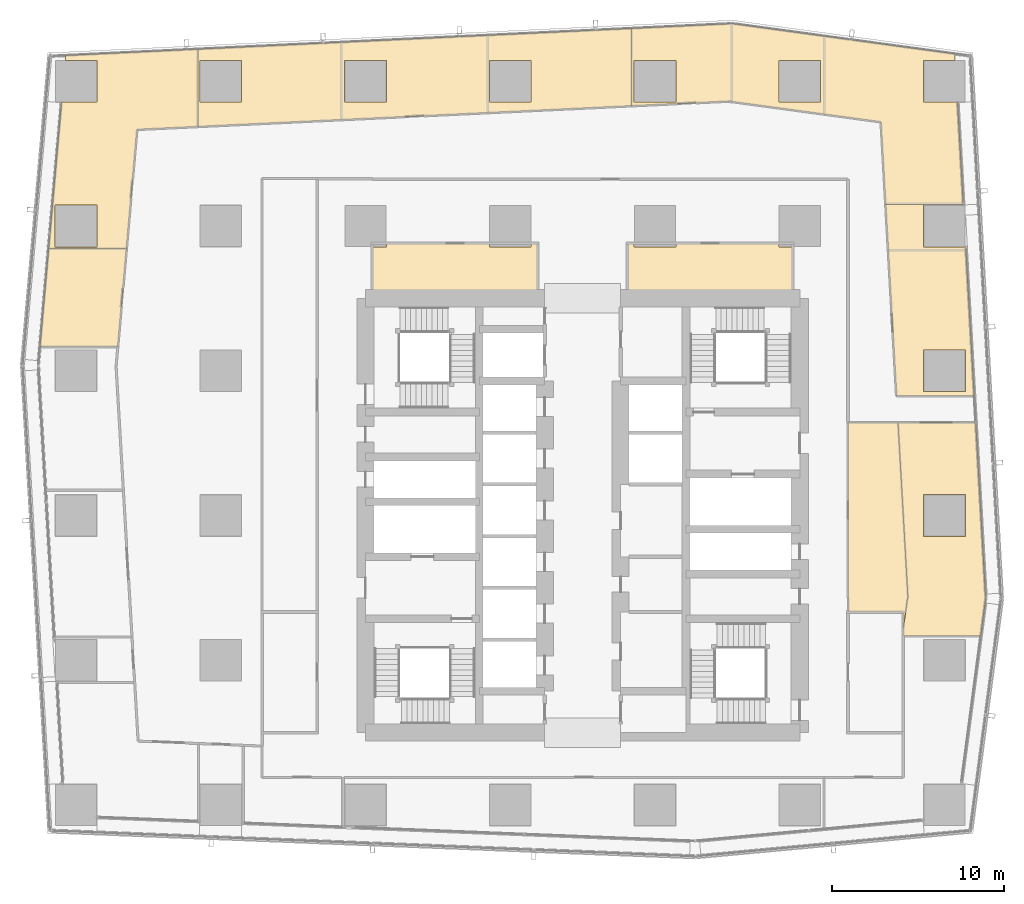
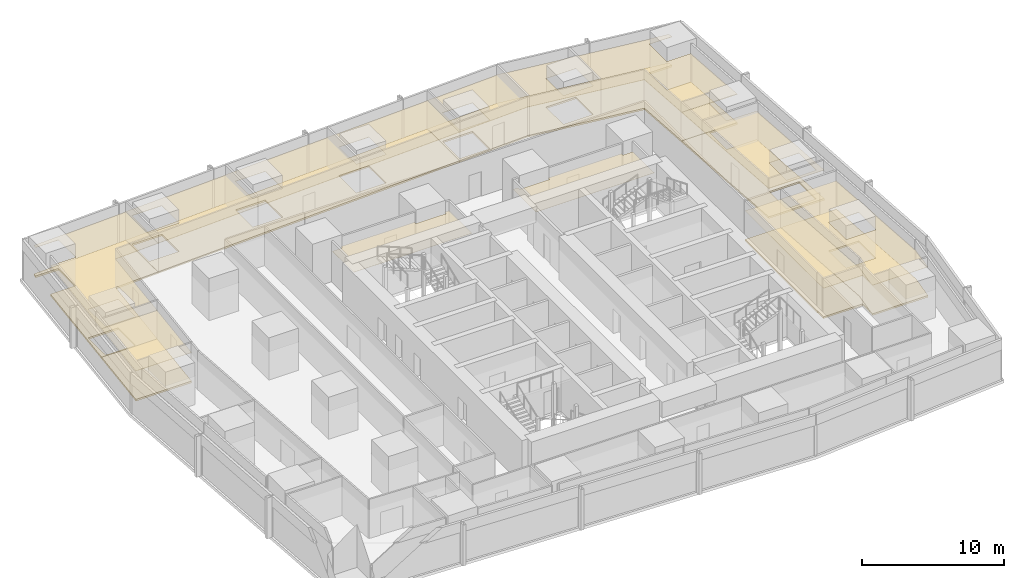
# One storey, part 37 of 37: 16 coverings.
"""IFC4 building model written with IfcOpenShell, lengths in metres."""

from ifc_helpers import new_model, si_unit, direction, frame, origin, place, context, subcontext, project, spatial, polyline, outline, extrude, material, layer, layer_set, type_object, element, save


model = new_model("IFC4")

# Units and contexts
model_context = context("Model", 3, precision=1e-05, world=origin(), true_north=direction((0.0, 1.0)))
body_context = subcontext(model_context, "Body", "Model", "MODEL_VIEW")
ifc_project = project(units=[si_unit("LENGTHUNIT", "METRE"), si_unit("AREAUNIT", "SQUARE_METRE"), si_unit("VOLUMEUNIT", "CUBIC_METRE"), si_unit("PLANEANGLEUNIT", "RADIAN"), si_unit("MASSUNIT", "GRAM", prefix="KILO")], contexts=[model_context])

# Site, building, storey
site_placement = place(None, origin())
site = spatial("IfcSite", under=ifc_project, at=site_placement, CompositionType="ELEMENT")
building_placement = place(site_placement, origin())
building = spatial("IfcBuilding", under=site, at=building_placement, Name="Rekha Terrace Tower", CompositionType="ELEMENT")
storey_placement = place(building_placement, frame((0.0, 0.0, 228.949951171875)))
storey = spatial("IfcBuildingStorey", under=building, at=storey_placement, Name="L58", CompositionType="ELEMENT", Elevation=228.949951171875)

# Coverings
ifc_material_1 = material(Name="Mineral fibre tile in exposed grid", Category="finish")
ifc_layer_1 = layer(ifc_material_1, 0.02001953125)
ifc_layer_set_1 = layer_set([ifc_layer_1], Name="Mineral fibre tile in exposed grid")
covering_type_1 = type_object("IfcCoveringType", Name="CL1 600x1200 office grid ceiling", PredefinedType="CEILING", material=ifc_layer_set_1)
covering_1_placement = place(storey_placement, frame((0.0, 0.0, 2.580078125)))
element("IfcCovering", 1, at=covering_1_placement, inside=storey, type_object=covering_type_1, Name="Ceiling L58-05", PredefinedType="CEILING", context=body_context, shape_type="SweptSolid", body=[
    extrude(outline(polyline([(59.889892578125, 51.614990234375), (59.887939453125, 51.656982421875), (55.3798828125, 51.656982421875), (55.531005859375, 48.99609375), (56.011962890625, 40.531005859375), (60.51904296875, 40.531005859375), (60.0390625, 48.9990234375), (60.028076171875, 49.18505859375), (57.5849609375, 49.18505859375), (57.5849609375, 51.614990234375), (59.889892578125, 51.614990234375)]), holes=[polyline([(60.014892578125, 40.784912109375), (57.5849609375, 40.784912109375), (57.5849609375, 43.215087890625), (60.014892578125, 43.215087890625), (60.014892578125, 40.784912109375)])]), origin(), (0.0, 0.0, 1.0), 0.02001953125),
])
covering_2_placement = place(storey_placement, frame((0.0, 0.0, 2.580078125)))
element("IfcCovering", 2, at=covering_2_placement, inside=storey, type_object=covering_type_1, Name="Ceiling L58-06", PredefinedType="CEILING", context=body_context, shape_type="SweptSolid", body=[
    extrude(outline(polyline([(40.6279296875, 61.868896484375), (40.6279296875, 57.364013671875), (46.445068359375, 57.64208984375), (46.445068359375, 57.612060546875), (51.830078125, 56.87890625), (55.10888671875, 56.43310546875), (55.3798828125, 51.657958984375), (59.887939453125, 51.657958984375), (59.551025390625, 57.5849609375), (57.5849609375, 57.5849609375), (57.5849609375, 60.014892578125), (59.4130859375, 60.014892578125), (59.39208984375, 60.39208984375), (51.825927734375, 61.4208984375), (46.445068359375, 62.154052734375), (46.445068359375, 62.14697265625), (40.6279296875, 61.868896484375)]), holes=[polyline([(51.614990234375, 57.5849609375), (49.18505859375, 57.5849609375), (49.18505859375, 60.014892578125), (51.614990234375, 60.014892578125), (51.614990234375, 57.5849609375)]), polyline([(43.215087890625, 60.014892578125), (43.215087890625, 57.5849609375), (40.784912109375, 57.5849609375), (40.784912109375, 60.014892578125), (43.215087890625, 60.014892578125)])]), origin(), (0.0, 0.0, 1.0), 0.02001953125),
])
covering_3_placement = place(storey_placement, frame((0.0, 0.0, 2.580078125)))
element("IfcCovering", 3, at=covering_3_placement, inside=storey, type_object=covering_type_1, Name="Ceiling L58-07", PredefinedType="CEILING", context=body_context, shape_type="SweptSolid", body=[
    extrude(outline(polyline([(32.299072265625, 61.470947265625), (23.794921875, 61.06494140625), (15.467041015625, 60.666015625), (15.467041015625, 56.160888671875), (23.7919921875, 56.55908203125), (32.302001953125, 56.966064453125), (40.626953125, 57.364013671875), (40.626953125, 61.868896484375), (32.299072265625, 61.470947265625)]), holes=[polyline([(34.81494140625, 57.5849609375), (32.385009765625, 57.5849609375), (32.385009765625, 60.014892578125), (34.81494140625, 60.014892578125), (34.81494140625, 57.5849609375)]), polyline([(26.4150390625, 57.5849609375), (23.985107421875, 57.5849609375), (23.985107421875, 60.014892578125), (26.4150390625, 60.014892578125), (26.4150390625, 57.5849609375)]), polyline([(18.014892578125, 60.014892578125), (18.014892578125, 57.5849609375), (15.5849609375, 57.5849609375), (15.5849609375, 60.014892578125), (18.014892578125, 60.014892578125)])]), origin(), (0.0, 0.0, 1.0), 0.02001953125),
])
covering_4_placement = place(storey_placement, frame((0.0, 0.0, 2.580078125)))
element("IfcCovering", 4, at=covering_4_placement, inside=storey, type_object=covering_type_1, Name="Ceiling L58-08", PredefinedType="CEILING", context=body_context, shape_type="SweptSolid", body=[
    extrude(outline(polyline([(7.56103515625, 57.5849609375), (6.81005859375, 49.0810546875), (11.327880859375, 49.0810546875), (11.93798828125, 55.992919921875), (15.466064453125, 56.160888671875), (15.466064453125, 60.666015625), (7.801025390625, 60.300048828125), (7.77587890625, 60.014892578125), (9.614990234375, 60.014892578125), (9.614990234375, 57.5849609375), (7.56103515625, 57.5849609375)]), holes=[polyline([(9.614990234375, 49.18505859375), (7.18505859375, 49.18505859375), (7.18505859375, 51.614990234375), (9.614990234375, 51.614990234375), (9.614990234375, 49.18505859375)])]), origin(), (0.0, 0.0, 1.0), 0.02001953125),
])
covering_5_placement = place(storey_placement, frame((0.0, 0.0, 2.580078125)))
element("IfcCovering", 5, at=covering_5_placement, inside=storey, type_object=covering_type_1, Name="Ceiling L58-09", PredefinedType="CEILING", context=body_context, shape_type="SweptSolid", body=[
    extrude(outline(polyline([(11.327880859375, 49.080078125), (6.81005859375, 49.080078125), (6.30810546875, 43.39208984375), (10.825927734375, 43.39208984375), (11.327880859375, 49.080078125)])), origin(), (0.0, 0.0, 1.0), 0.02001953125),
])
covering_6_placement = place(storey_placement, frame((0.0, 0.0, 2.580078125)))
element("IfcCovering", 6, at=covering_6_placement, inside=storey, type_object=covering_type_1, Name="Ceiling L58-16", PredefinedType="CEILING", context=body_context, shape_type="SweptSolid", body=[
    extrude(outline(polyline([(56.10009765625, 38.98095703125), (56.677001953125, 28.81201171875), (56.65087890625, 28.81201171875), (56.39990234375, 26.91796875), (56.39990234375, 26.60009765625), (60.89697265625, 26.60009765625), (61.18994140625, 28.81201171875), (61.18408203125, 28.81201171875), (60.60693359375, 38.98095703125), (56.10009765625, 38.98095703125)]), holes=[polyline([(60.014892578125, 34.81494140625), (60.014892578125, 32.385009765625), (57.5849609375, 32.385009765625), (57.5849609375, 34.81494140625), (60.014892578125, 34.81494140625)])]), origin(), (0.0, 0.0, 1.0), 0.02001953125),
])
covering_7_placement = place(storey_placement, frame((0.0, 0.0, 2.580078125)))
element("IfcCovering", 7, at=covering_7_placement, inside=storey, type_object=covering_type_1, Name="Ceiling L58-17", PredefinedType="CEILING", context=body_context, shape_type="SweptSolid", body=[
    extrude(outline(polyline([(56.65087890625, 28.81201171875), (56.677001953125, 28.81201171875), (56.10009765625, 38.98095703125), (53.199951171875, 38.98095703125), (53.199951171875, 28.81201171875), (53.22509765625, 28.81201171875), (53.22509765625, 28.0), (56.39990234375, 28.0), (56.39990234375, 27.071044921875), (56.419921875, 27.070068359375), (56.65087890625, 28.81201171875)])), origin(), (0.0, 0.0, 1.0), 0.02001953125),
])
ifc_material_2 = material(Name="Fibre cement board", Category="finish")
ifc_layer_2 = layer(ifc_material_2, 0.014892578125)
ifc_layer_set_2 = layer_set([ifc_layer_2], Name="Fibre cement board")
covering_type_2 = type_object("IfcCoveringType", Name="CL2 moisture-resistant board ceiling", PredefinedType="CEILING", material=ifc_layer_set_2)
covering_8_placement = place(storey_placement, frame((0.0, 0.0, 2.5849609375)))
element("IfcCovering", 8, at=covering_8_placement, inside=storey, type_object=covering_type_2, Name="Ceiling L58-WCF", PredefinedType="CEILING", context=body_context, shape_type="SweptSolid", body=[
    extrude(outline(polyline([(40.784912109375, 49.39990234375), (40.39990234375, 49.39990234375), (40.39990234375, 46.199951171875), (50.0, 46.199951171875), (50.0, 49.18505859375), (49.18505859375, 49.18505859375), (49.18505859375, 49.39990234375), (43.215087890625, 49.39990234375), (43.215087890625, 49.18505859375), (40.784912109375, 49.18505859375), (40.784912109375, 49.39990234375)])), origin(), (0.0, 0.0, 1.0), 0.01513671875),
])
covering_9_placement = place(storey_placement, frame((0.0, 0.0, 2.5849609375)))
element("IfcCovering", 9, at=covering_9_placement, inside=storey, type_object=covering_type_2, Name="Ceiling L58-WCF2", PredefinedType="CEILING", context=body_context, shape_type="SweptSolid", body=[
    extrude(outline(polyline([(26.4150390625, 49.18505859375), (25.60009765625, 49.18505859375), (25.60009765625, 46.199951171875), (35.199951171875, 46.199951171875), (35.199951171875, 49.39990234375), (34.81494140625, 49.39990234375), (34.81494140625, 49.18505859375), (32.385009765625, 49.18505859375), (32.385009765625, 49.39990234375), (26.4150390625, 49.39990234375), (26.4150390625, 49.18505859375)])), origin(), (0.0, 0.0, 1.0), 0.01513671875),
])
ifc_material_3 = material(Name="Calcium sulphate panels on steel pedestals", Category="steel")
ifc_layer_3 = layer(ifc_material_3, 0.14990234375)
ifc_layer_set_3 = layer_set([ifc_layer_3], Name="Calcium sulphate panels on steel pedestals")
covering_type_3 = type_object("IfcCoveringType", Name="RF1 150 raised access floor", PredefinedType="FLOORING", material=ifc_layer_set_3)
covering_10_placement = place(storey_placement, origin())
element("IfcCovering", 10, at=covering_10_placement, inside=storey, type_object=covering_type_3, Name="Raised floor L58-05", PredefinedType="FLOORING", context=body_context, shape_type="SweptSolid", body=[
    extrude(outline(polyline([(59.889892578125, 51.614990234375), (59.887939453125, 51.656982421875), (55.3798828125, 51.656982421875), (55.531005859375, 48.99609375), (56.011962890625, 40.531005859375), (60.51904296875, 40.531005859375), (60.0390625, 48.9990234375), (60.028076171875, 49.18505859375), (57.5849609375, 49.18505859375), (57.5849609375, 51.614990234375), (59.889892578125, 51.614990234375)]), holes=[polyline([(60.014892578125, 40.784912109375), (57.5849609375, 40.784912109375), (57.5849609375, 43.215087890625), (60.014892578125, 43.215087890625), (60.014892578125, 40.784912109375)])]), origin(), (0.0, 0.0, 1.0), 0.150146484375),
])
covering_11_placement = place(storey_placement, origin())
element("IfcCovering", 11, at=covering_11_placement, inside=storey, type_object=covering_type_3, Name="Raised floor L58-06", PredefinedType="FLOORING", context=body_context, shape_type="SweptSolid", body=[
    extrude(outline(polyline([(40.6279296875, 61.868896484375), (40.6279296875, 57.364013671875), (46.445068359375, 57.64208984375), (46.445068359375, 57.612060546875), (51.830078125, 56.87890625), (55.10888671875, 56.43310546875), (55.3798828125, 51.657958984375), (59.887939453125, 51.657958984375), (59.551025390625, 57.5849609375), (57.5849609375, 57.5849609375), (57.5849609375, 60.014892578125), (59.4130859375, 60.014892578125), (59.39208984375, 60.39208984375), (51.825927734375, 61.4208984375), (46.445068359375, 62.154052734375), (46.445068359375, 62.14697265625), (40.6279296875, 61.868896484375)]), holes=[polyline([(51.614990234375, 57.5849609375), (49.18505859375, 57.5849609375), (49.18505859375, 60.014892578125), (51.614990234375, 60.014892578125), (51.614990234375, 57.5849609375)]), polyline([(43.215087890625, 60.014892578125), (43.215087890625, 57.5849609375), (40.784912109375, 57.5849609375), (40.784912109375, 60.014892578125), (43.215087890625, 60.014892578125)])]), origin(), (0.0, 0.0, 1.0), 0.150146484375),
])
covering_12_placement = place(storey_placement, origin())
element("IfcCovering", 12, at=covering_12_placement, inside=storey, type_object=covering_type_3, Name="Raised floor L58-07", PredefinedType="FLOORING", context=body_context, shape_type="SweptSolid", body=[
    extrude(outline(polyline([(32.299072265625, 61.470947265625), (23.794921875, 61.06494140625), (15.467041015625, 60.666015625), (15.467041015625, 56.160888671875), (23.7919921875, 56.55908203125), (32.302001953125, 56.966064453125), (40.626953125, 57.364013671875), (40.626953125, 61.868896484375), (32.299072265625, 61.470947265625)]), holes=[polyline([(34.81494140625, 57.5849609375), (32.385009765625, 57.5849609375), (32.385009765625, 60.014892578125), (34.81494140625, 60.014892578125), (34.81494140625, 57.5849609375)]), polyline([(26.4150390625, 57.5849609375), (23.985107421875, 57.5849609375), (23.985107421875, 60.014892578125), (26.4150390625, 60.014892578125), (26.4150390625, 57.5849609375)]), polyline([(18.014892578125, 60.014892578125), (18.014892578125, 57.5849609375), (15.5849609375, 57.5849609375), (15.5849609375, 60.014892578125), (18.014892578125, 60.014892578125)])]), origin(), (0.0, 0.0, 1.0), 0.150146484375),
])
covering_13_placement = place(storey_placement, origin())
element("IfcCovering", 13, at=covering_13_placement, inside=storey, type_object=covering_type_3, Name="Raised floor L58-08", PredefinedType="FLOORING", context=body_context, shape_type="SweptSolid", body=[
    extrude(outline(polyline([(7.56103515625, 57.5849609375), (6.81005859375, 49.0810546875), (11.327880859375, 49.0810546875), (11.93798828125, 55.992919921875), (15.466064453125, 56.160888671875), (15.466064453125, 60.666015625), (7.801025390625, 60.300048828125), (7.77587890625, 60.014892578125), (9.614990234375, 60.014892578125), (9.614990234375, 57.5849609375), (7.56103515625, 57.5849609375)]), holes=[polyline([(9.614990234375, 49.18505859375), (7.18505859375, 49.18505859375), (7.18505859375, 51.614990234375), (9.614990234375, 51.614990234375), (9.614990234375, 49.18505859375)])]), origin(), (0.0, 0.0, 1.0), 0.150146484375),
])
covering_14_placement = place(storey_placement, origin())
element("IfcCovering", 14, at=covering_14_placement, inside=storey, type_object=covering_type_3, Name="Raised floor L58-09", PredefinedType="FLOORING", context=body_context, shape_type="SweptSolid", body=[
    extrude(outline(polyline([(11.327880859375, 49.080078125), (6.81005859375, 49.080078125), (6.30810546875, 43.39208984375), (10.825927734375, 43.39208984375), (11.327880859375, 49.080078125)])), origin(), (0.0, 0.0, 1.0), 0.150146484375),
])
covering_15_placement = place(storey_placement, origin())
element("IfcCovering", 15, at=covering_15_placement, inside=storey, type_object=covering_type_3, Name="Raised floor L58-16", PredefinedType="FLOORING", context=body_context, shape_type="SweptSolid", body=[
    extrude(outline(polyline([(56.10009765625, 38.98095703125), (56.677001953125, 28.81201171875), (56.65087890625, 28.81201171875), (56.39990234375, 26.91796875), (56.39990234375, 26.60009765625), (60.89697265625, 26.60009765625), (61.18994140625, 28.81201171875), (61.18408203125, 28.81201171875), (60.60693359375, 38.98095703125), (56.10009765625, 38.98095703125)]), holes=[polyline([(60.014892578125, 34.81494140625), (60.014892578125, 32.385009765625), (57.5849609375, 32.385009765625), (57.5849609375, 34.81494140625), (60.014892578125, 34.81494140625)])]), origin(), (0.0, 0.0, 1.0), 0.150146484375),
])
covering_16_placement = place(storey_placement, origin())
element("IfcCovering", 16, at=covering_16_placement, inside=storey, type_object=covering_type_3, Name="Raised floor L58-17", PredefinedType="FLOORING", context=body_context, shape_type="SweptSolid", body=[
    extrude(outline(polyline([(56.65087890625, 28.81201171875), (56.677001953125, 28.81201171875), (56.10009765625, 38.98095703125), (53.199951171875, 38.98095703125), (53.199951171875, 28.81201171875), (53.22509765625, 28.81201171875), (53.22509765625, 28.0), (56.39990234375, 28.0), (56.39990234375, 27.071044921875), (56.419921875, 27.070068359375), (56.65087890625, 28.81201171875)])), origin(), (0.0, 0.0, 1.0), 0.150146484375),
])

save(model, "model.ifc")
